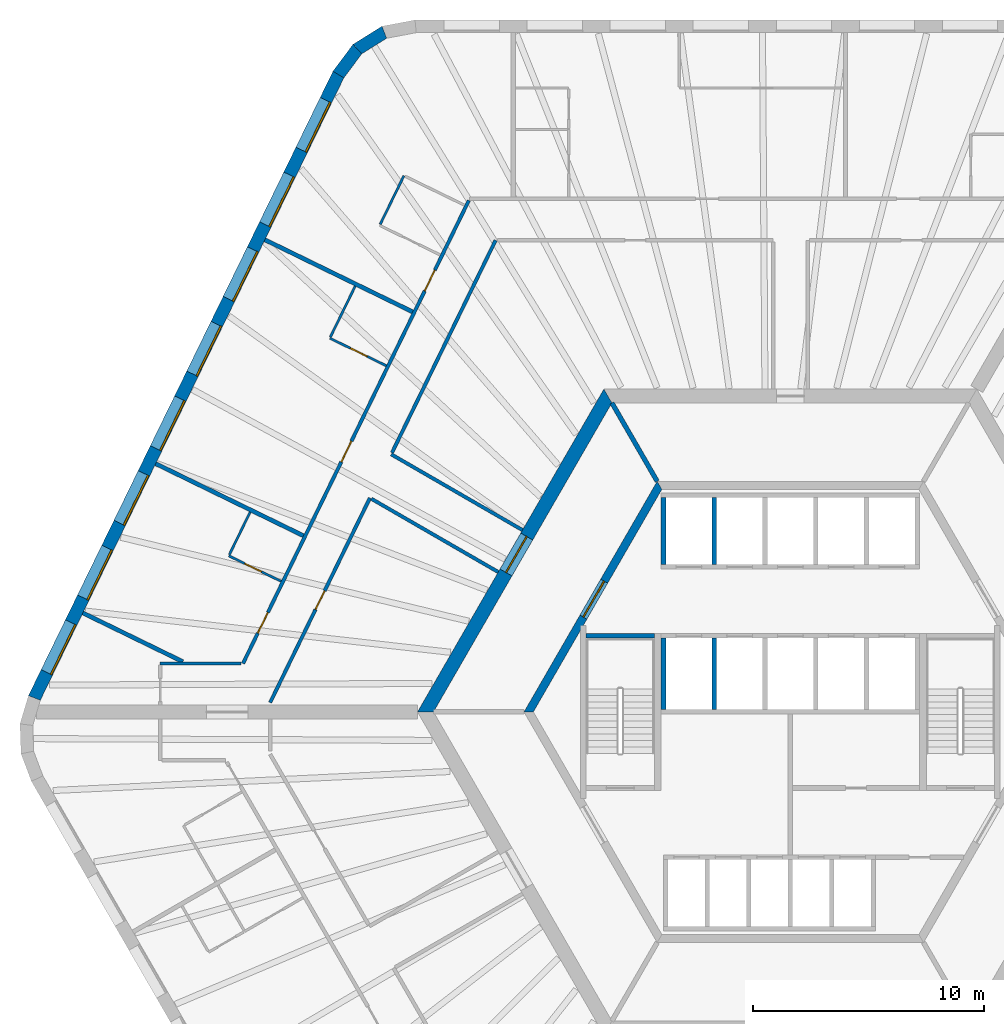
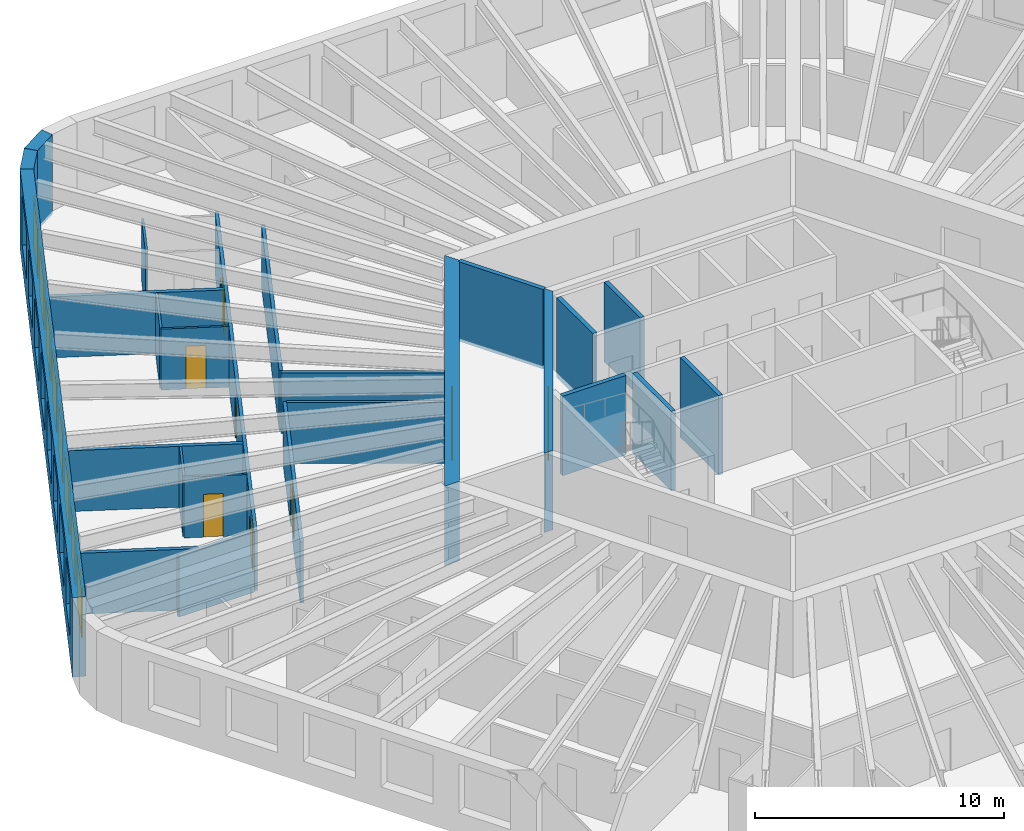
# One storey, part 7 of 11: 25 walls, 8 doors, 8 windows, 16 openings.
"""IFC4 building model written with IfcOpenShell, lengths in metres."""

from ifc_helpers import new_model, si_unit, direction, frame, frame_2d, origin, place, context, subcontext, project, spatial, polyline, rectangle, outline, extrude, material, layer, layer_set, type_object, element, fill, save


model = new_model("IFC4")

# Units and contexts
model_context = context("Model", 3, precision=1e-05, world=origin(), true_north=direction((0.0, 1.0)))
body_context = subcontext(model_context, "Body", "Model", "MODEL_VIEW")
ifc_project = project(units=[si_unit("LENGTHUNIT", "METRE"), si_unit("AREAUNIT", "SQUARE_METRE"), si_unit("VOLUMEUNIT", "CUBIC_METRE"), si_unit("PLANEANGLEUNIT", "RADIAN"), si_unit("MASSUNIT", "GRAM", prefix="KILO")], contexts=[model_context])

# Site, building, storey
site_placement = place(None, origin())
site = spatial("IfcSite", under=ifc_project, at=site_placement, CompositionType="ELEMENT")
building_placement = place(site_placement, origin())
building = spatial("IfcBuilding", under=site, at=building_placement, Name="Tarnside Tower", CompositionType="ELEMENT")
storey_placement = place(building_placement, frame((0.0, 0.0, 107.699951171875)))
storey = spatial("IfcBuildingStorey", under=building, at=storey_placement, Name="L24", CompositionType="ELEMENT", Elevation=107.699951171875)

# Wall
ifc_material_1 = material(Name="Gypsum board partition on steel studs", Category="steel")
ifc_layer_1 = layer(ifc_material_1, 0.10009765625)
ifc_layer_set_1 = layer_set([ifc_layer_1], Name="Bathroom wall 100")
wall_type_1 = type_object("IfcWallType", Name="Bathroom wall 100", PredefinedType="PARTITIONING", material=ifc_layer_set_1)
wall_1_placement = place(storey_placement, frame((-17.783203125, 21.138427734375, 0.0), z_axis=(0.0, 0.0, 1.0), x_axis=(0.438339704034, 0.898809381275, 0.0)))
element("IfcWall", 1, at=wall_1_placement, inside=storey, type_object=wall_type_1, Name="Bathroom wall 07091", PredefinedType="PARTITIONING", context=body_context, shape_type="SweptSolid", body=[
    extrude(rectangle(XDim=2.349853515625, YDim=0.10009765625, at=frame_2d((1.1748046875, 0.0))), origin(), (0.0, 0.0, 1.0), 2.98779296875),
])

# Wall, opening, door
wall_2_placement = place(storey_placement, frame((-17.51806640625, 15.009521484375, 0.0), z_axis=(0.0, 0.0, 1.0), x_axis=(-0.898791692788, 0.43837597217, 0.0)))
wall_2 = element("IfcWall", 2, at=wall_2_placement, inside=storey, type_object=wall_type_1, Name="Bathroom wall 07095", PredefinedType="PARTITIONING", context=body_context, shape_type="SweptSolid", body=[
    extrude(rectangle(XDim=2.72509765625, YDim=0.10009765625, at=frame_2d((1.362548828125, 0.0))), origin(), (0.0, 0.0, 1.0), 2.98779296875),
])
opening_1_placement = place(wall_2_placement, frame((0.925048828125, 0.0, 0.0)))
opening_1 = element("IfcOpeningElement", 3, at=opening_1_placement, cuts=wall_2, Name="Opening D-B1", PredefinedType="OPENING", context=body_context, shape_type="SweptSolid", body=[
    extrude(rectangle(XDim=0.800048828125, YDim=2.10009765625, at=frame_2d((0.39990234375, 1.050048828125))), frame((0.0, 0.06005859375, 0.0), z_axis=(0.0, -1.0, 0.0), x_axis=(1.0, 0.0, 0.0)), (0.0, 0.0, 1.0), 0.1201171875),
])
ifc_material_2 = material(Name="Timber door leaf", Category="wood")
door_type_1 = type_object("IfcDoorType", Name="Bathroom door 800", OperationType="NOTDEFINED", PredefinedType="DOOR", material=ifc_material_2)
door_1_placement = place(opening_1_placement, origin())
door_1 = element("IfcDoor", 4, at=door_1_placement, inside=storey, type_object=door_type_1, Name="Bathroom door 07010", OperationType="SINGLE_SWING_RIGHT", OverallHeight=2.10009765625, OverallWidth=0.800048828125, PredefinedType="DOOR", context=body_context, shape_type="SweptSolid", body=[
    extrude(rectangle(XDim=0.800048828125, YDim=2.10009765625, at=frame_2d((0.39990234375, 1.050048828125))), frame((0.0, 0.02490234375, 0.0), z_axis=(0.0, -1.0, 0.0), x_axis=(1.0, 0.0, 0.0)), (0.0, 0.0, 1.0), 0.050048828125),
])
fill(opening_1, door_1)

# Wall
wall_3_placement = place(storey_placement, frame((-19.945556640625, 16.2490234375, 0.0), z_axis=(0.0, 0.0, 1.0), x_axis=(0.438419721753, 0.898770353082, 0.0)))
element("IfcWall", 5, at=wall_3_placement, inside=storey, type_object=wall_type_1, Name="Bathroom wall 07096", PredefinedType="PARTITIONING", context=body_context, shape_type="SweptSolid", body=[
    extrude(rectangle(XDim=2.460205078125, YDim=0.10009765625, at=frame_2d((1.22998046875, 0.0))), origin(), (0.0, 0.0, 1.0), 2.98779296875),
])

# Wall, opening, door
wall_4_placement = place(storey_placement, frame((-22.0771484375, 5.662109375, 0.0), z_axis=(0.0, 0.0, 1.0), x_axis=(-0.898792604152, 0.438374103617, 0.0)))
wall_4 = element("IfcWall", 6, at=wall_4_placement, inside=storey, type_object=wall_type_1, Name="Bathroom wall 07099", PredefinedType="PARTITIONING", context=body_context, shape_type="SweptSolid", body=[
    extrude(rectangle(XDim=2.525146484375, YDim=0.10009765625, at=frame_2d((1.2626953125, 0.0))), origin(), (0.0, 0.0, 1.0), 2.98779296875),
])
opening_2_placement = place(wall_4_placement, frame((0.955078125, 0.0, 0.0)))
opening_2 = element("IfcOpeningElement", 7, at=opening_2_placement, cuts=wall_4, Name="Opening D-B1", PredefinedType="OPENING", context=body_context, shape_type="SweptSolid", body=[
    extrude(rectangle(XDim=0.800048828125, YDim=2.10009765625, at=frame_2d((0.39990234375, 1.050048828125))), frame((0.0, 0.06005859375, 0.0), z_axis=(0.0, -1.0, 0.0), x_axis=(1.0, 0.0, 0.0)), (0.0, 0.0, 1.0), 0.1201171875),
])
door_2_placement = place(opening_2_placement, origin())
door_2 = element("IfcDoor", 8, at=door_2_placement, inside=storey, type_object=door_type_1, Name="Bathroom door 07012", OperationType="SINGLE_SWING_LEFT", OverallHeight=2.10009765625, OverallWidth=0.800048828125, PredefinedType="DOOR", context=body_context, shape_type="SweptSolid", body=[
    extrude(rectangle(XDim=0.800048828125, YDim=2.10009765625, at=frame_2d((0.39990234375, 1.050048828125))), frame((0.0, 0.02490234375, 0.0), z_axis=(0.0, -1.0, 0.0), x_axis=(1.0, 0.0, 0.0)), (0.0, 0.0, 1.0), 0.050048828125),
])
fill(opening_2, door_2)

# Wall
wall_5_placement = place(storey_placement, frame((-24.32470703125, 6.81396484375, 0.0), z_axis=(0.0, 0.0, 1.0), x_axis=(0.438374597956, 0.898792363044, 0.0)))
element("IfcWall", 9, at=wall_5_placement, inside=storey, type_object=wall_type_1, Name="Bathroom wall 07100", PredefinedType="PARTITIONING", context=body_context, shape_type="SweptSolid", body=[
    extrude(rectangle(XDim=2.06005859375, YDim=0.10009765625, at=frame_2d((1.030029296875, 0.0))), origin(), (0.0, 0.0, 1.0), 2.98779296875),
])

# Wall, opening, door
ifc_material_3 = material(Name="Concrete C50/60", Category="concrete")
ifc_layer_2 = layer(ifc_material_3, 0.35009765625)
ifc_layer_set_2 = layer_set([ifc_layer_2], Name="Core block wall 350 C50/60")
wall_type_2 = type_object("IfcWallType", Name="Core block wall 350 C50/60", PredefinedType="SHEAR", material=ifc_layer_set_2)
wall_6_placement = place(storey_placement, frame((-5.672607421875, 9.824951171875, -0.14990234375), z_axis=(0.0, 0.0, 1.0), x_axis=(-0.499995046907, -0.866028263435, 0.0)))
wall_6 = element("IfcWall", 10, at=wall_6_placement, inside=storey, type_object=wall_type_2, Name="L24 core block wall face 2", PredefinedType="SHEAR", context=body_context, shape_type="SweptSolid", body=[
    extrude(outline(polyline([(-0.10107421875, -0.175048828125), (11.44580078125, -0.175048828125), (11.24365234375, 0.175048828125), (0.10107421875, 0.175048828125), (-0.10107421875, -0.175048828125)])), origin(), (0.0, 0.0, 1.0), 3.89990234375),
])
opening_3_placement = place(wall_6_placement, frame((4.80126953125, 0.0, 0.14990234375)))
opening_3 = element("IfcOpeningElement", 11, at=opening_3_placement, cuts=wall_6, Name="Opening CD-LOB", PredefinedType="OPENING", context=body_context, shape_type="SweptSolid", body=[
    extrude(rectangle(XDim=1.800048828125, YDim=2.39990234375, at=frame_2d((0.89990234375, 1.199951171875))), frame((0.0, 0.18505859375, 0.0), z_axis=(0.0, -1.0, 0.0), x_axis=(1.0, 0.0, 0.0)), (0.0, 0.0, 1.0), 0.3701171875),
])
ifc_material_4 = material(Name="Steel fire door", Category="steel")
door_type_2 = type_object("IfcDoorType", Name="Lobby double door FD30S 1800x2400", OperationType="NOTDEFINED", PredefinedType="DOOR", material=ifc_material_4)
door_3_placement = place(opening_3_placement, origin())
door_3 = element("IfcDoor", 12, at=door_3_placement, inside=storey, type_object=door_type_2, Name="L24 lobby block door P1", OperationType="DOUBLE_DOOR_SINGLE_SWING", OverallHeight=2.39990234375, OverallWidth=1.800048828125, PredefinedType="DOOR", context=body_context, shape_type="SweptSolid", body=[
    extrude(rectangle(XDim=1.800048828125, YDim=2.39990234375, at=frame_2d((0.89990234375, 1.199951171875))), frame((0.0, 0.02490234375, 0.0), z_axis=(0.0, -1.0, 0.0), x_axis=(1.0, 0.0, 0.0)), (0.0, 0.0, 1.0), 0.050048828125),
])
fill(opening_3, door_3)

ifc_material_5 = material(Name="Concrete C80/95", Category="concrete")
ifc_layer_3 = layer(ifc_material_5, 0.60009765625)
ifc_layer_set_3 = layer_set([ifc_layer_3], Name="Core wall Z1 600 C80/95")
wall_type_3 = type_object("IfcWallType", Name="Core wall Z1 600 C80/95", PredefinedType="SHEAR", material=ifc_layer_set_3)
wall_7_placement = place(storey_placement, frame((-7.90966796875, 13.699951171875, -0.14990234375), z_axis=(0.0, 0.0, 1.0), x_axis=(-0.499999880136, -0.866025472988, 0.0)))
wall_7 = element("IfcWall", 13, at=wall_7_placement, inside=storey, type_object=wall_type_3, Name="L24 core wall face 2", PredefinedType="SHEAR", context=body_context, shape_type="SweptSolid", body=[
    extrude(outline(polyline([(-0.17333984375, -0.300048828125), (15.99267578125, -0.300048828125), (15.64599609375, 0.300048828125), (0.17333984375, 0.300048828125), (-0.17333984375, -0.300048828125)])), origin(), (0.0, 0.0, 1.0), 3.89990234375),
])
opening_4_placement = place(wall_7_placement, frame((7.03857421875, 0.0, 0.14990234375)))
opening_4 = element("IfcOpeningElement", 14, at=opening_4_placement, cuts=wall_7, Name="Opening CD-LOB", PredefinedType="OPENING", context=body_context, shape_type="SweptSolid", body=[
    extrude(rectangle(XDim=1.800048828125, YDim=2.39990234375, at=frame_2d((0.89990234375, 1.199951171875))), frame((0.0, 0.31005859375, 0.0), z_axis=(0.0, -1.0, 0.0), x_axis=(1.0, 0.0, 0.0)), (0.0, 0.0, 1.0), 0.6201171875),
])
door_4_placement = place(opening_4_placement, origin())
door_4 = element("IfcDoor", 15, at=door_4_placement, inside=storey, type_object=door_type_2, Name="L24 core door P1", OperationType="DOUBLE_DOOR_SINGLE_SWING", OverallHeight=2.39990234375, OverallWidth=1.800048828125, PredefinedType="DOOR", context=body_context, shape_type="SweptSolid", body=[
    extrude(rectangle(XDim=1.800048828125, YDim=2.39990234375, at=frame_2d((0.89990234375, 1.199951171875))), frame((0.0, 0.02490234375, 0.0), z_axis=(0.0, -1.0, 0.0), x_axis=(1.0, 0.0, 0.0)), (0.0, 0.0, 1.0), 0.050048828125),
])
fill(opening_4, door_4)

# Wall, openings, doors
ifc_layer_4 = layer(ifc_material_1, 0.14990234375)
ifc_layer_set_4 = layer_set([ifc_layer_4], Name="Corridor wall 150 EI 60")
wall_type_4 = type_object("IfcWallType", Name="Corridor wall 150 EI 60", PredefinedType="PARTITIONING", material=ifc_layer_set_4)
wall_8_placement = place(storey_placement, frame((-13.93994140625, 22.175048828125, 0.0), z_axis=(0.0, 0.0, 1.0), x_axis=(-0.438373022655, -0.898793131376, 0.0)))
wall_8 = element("IfcWall", 16, at=wall_8_placement, inside=storey, type_object=wall_type_4, Name="Corridor wall 07007", PredefinedType="PARTITIONING", context=body_context, shape_type="SweptSolid", body=[
    extrude(rectangle(XDim=22.33544921875, YDim=0.14990234375, at=frame_2d((11.167724609375, 0.0))), origin(), (0.0, 0.0, 1.0), 2.98779296875),
])
opening_5_placement = place(wall_8_placement, frame((3.36279296875, 0.0, 0.0)))
opening_5 = element("IfcOpeningElement", 17, at=opening_5_placement, cuts=wall_8, Name="Opening D-E1", PredefinedType="OPENING", context=body_context, shape_type="SweptSolid", body=[
    extrude(rectangle(XDim=1.0, YDim=2.10009765625, at=frame_2d((0.5, 1.050048828125))), frame((0.0, 0.0849609375, 0.0), z_axis=(0.0, -1.0, 0.0), x_axis=(1.0, 0.0, 0.0)), (0.0, 0.0, 1.0), 0.169921875),
])
opening_6_placement = place(wall_8_placement, frame((11.60888671875, 0.0, 0.0)))
opening_6 = element("IfcOpeningElement", 18, at=opening_6_placement, cuts=wall_8, Name="Opening D-E1", PredefinedType="OPENING", context=body_context, shape_type="SweptSolid", body=[
    extrude(rectangle(XDim=1.0, YDim=2.10009765625, at=frame_2d((0.5, 1.050048828125))), frame((0.0, 0.0849609375, 0.0), z_axis=(0.0, -1.0, 0.0), x_axis=(1.0, 0.0, 0.0)), (0.0, 0.0, 1.0), 0.169921875),
])
opening_7_placement = place(wall_8_placement, frame((19.8720703125, 0.0, 0.0)))
opening_7 = element("IfcOpeningElement", 19, at=opening_7_placement, cuts=wall_8, Name="Opening D-E1", PredefinedType="OPENING", context=body_context, shape_type="SweptSolid", body=[
    extrude(rectangle(XDim=1.0, YDim=2.10009765625, at=frame_2d((0.5, 1.050048828125))), frame((0.0, 0.0849609375, 0.0), z_axis=(0.0, -1.0, 0.0), x_axis=(1.0, 0.0, 0.0)), (0.0, 0.0, 1.0), 0.169921875),
])
door_type_3 = type_object("IfcDoorType", Name="Unit entrance door 1000 FD30S", OperationType="NOTDEFINED", PredefinedType="DOOR", material=ifc_material_2)
door_5_placement = place(opening_5_placement, origin())
door_5 = element("IfcDoor", 20, at=door_5_placement, inside=storey, type_object=door_type_3, Name="Unit door 07007", OperationType="SINGLE_SWING_LEFT", OverallHeight=2.10009765625, OverallWidth=1.0, PredefinedType="DOOR", context=body_context, shape_type="SweptSolid", body=[
    extrude(rectangle(XDim=1.0, YDim=2.10009765625, at=frame_2d((0.5, 1.050048828125))), frame((0.0, 0.02490234375, 0.0), z_axis=(0.0, -1.0, 0.0), x_axis=(1.0, 0.0, 0.0)), (0.0, 0.0, 1.0), 0.050048828125),
])
fill(opening_5, door_5)
door_6_placement = place(opening_6_placement, origin())
door_6 = element("IfcDoor", 21, at=door_6_placement, inside=storey, type_object=door_type_3, Name="Unit door 07009", OperationType="SINGLE_SWING_LEFT", OverallHeight=2.10009765625, OverallWidth=1.0, PredefinedType="DOOR", context=body_context, shape_type="SweptSolid", body=[
    extrude(rectangle(XDim=1.0, YDim=2.10009765625, at=frame_2d((0.5, 1.050048828125))), frame((0.0, 0.02490234375, 0.0), z_axis=(0.0, -1.0, 0.0), x_axis=(1.0, 0.0, 0.0)), (0.0, 0.0, 1.0), 0.050048828125),
])
fill(opening_6, door_6)
door_7_placement = place(opening_7_placement, origin())
door_7 = element("IfcDoor", 22, at=door_7_placement, inside=storey, type_object=door_type_3, Name="Unit door 07011", OperationType="SINGLE_SWING_RIGHT", OverallHeight=2.10009765625, OverallWidth=1.0, PredefinedType="DOOR", context=body_context, shape_type="SweptSolid", body=[
    extrude(rectangle(XDim=1.0, YDim=2.10009765625, at=frame_2d((0.5, 1.050048828125))), frame((0.0, 0.02490234375, 0.0), z_axis=(0.0, -1.0, 0.0), x_axis=(1.0, 0.0, 0.0)), (0.0, 0.0, 1.0), 0.050048828125),
])
fill(opening_7, door_7)

# Walls
wall_9_placement = place(storey_placement, frame((-23.814697265625, 2.10009765625, 0.0), z_axis=(0.0, 0.0, 1.0), x_axis=(-1.0, 0.0, 0.0)))
element("IfcWall", 23, at=wall_9_placement, inside=storey, type_object=wall_type_4, Name="Corridor wall 07014", PredefinedType="PARTITIONING", context=body_context, shape_type="SweptSolid", body=[
    extrude(rectangle(XDim=3.505615234375, YDim=0.14990234375, at=frame_2d((1.7529296875, 0.0))), origin(), (0.0, 0.0, 1.0), 2.98779296875),
])
wall_10_placement = place(storey_placement, frame((-11.61376953125, 7.88427734375, 0.0), z_axis=(0.0, 0.0, 1.0), x_axis=(-0.866025963225, 0.49999903102, 0.0)))
element("IfcWall", 24, at=wall_10_placement, inside=storey, type_object=wall_type_4, Name="Corridor wall 07018", PredefinedType="PARTITIONING", context=body_context, shape_type="SweptSolid", body=[
    extrude(rectangle(XDim=6.5712890625, YDim=0.14990234375, at=frame_2d((3.28564453125, 0.0))), origin(), (0.0, 0.0, 1.0), 2.98779296875),
])
wall_11_placement = place(storey_placement, frame((-17.271728515625, 11.237548828125, 0.0), z_axis=(0.0, 0.0, 1.0), x_axis=(0.438369193793, 0.898794998836, 0.0)))
element("IfcWall", 25, at=wall_11_placement, inside=storey, type_object=wall_type_4, Name="Corridor wall 07019", PredefinedType="PARTITIONING", context=body_context, shape_type="SweptSolid", body=[
    extrude(rectangle(XDim=10.249755859375, YDim=0.14990234375, at=frame_2d((5.125, 0.0))), origin(), (0.0, 0.0, 1.0), 2.98779296875),
])

# Wall, opening, door
wall_12_placement = place(storey_placement, frame((-22.552734375, 0.41015625, 0.0), z_axis=(0.0, 0.0, 1.0), x_axis=(0.438382679221, 0.898788421465, 0.0)))
wall_12 = element("IfcWall", 26, at=wall_12_placement, inside=storey, type_object=wall_type_4, Name="Corridor wall 07025", PredefinedType="PARTITIONING", context=body_context, shape_type="SweptSolid", body=[
    extrude(rectangle(XDim=9.8662109375, YDim=0.14990234375, at=frame_2d((4.93310546875, 0.0))), origin(), (0.0, 0.0, 1.0), 2.98779296875),
])
opening_8_placement = place(wall_12_placement, frame((4.483154296875, 0.0, 0.0)))
opening_8 = element("IfcOpeningElement", 27, at=opening_8_placement, cuts=wall_12, Name="Opening D-S1", PredefinedType="OPENING", context=body_context, shape_type="SweptSolid", body=[
    extrude(rectangle(XDim=0.89990234375, YDim=2.10009765625, at=frame_2d((0.449951171875, 1.050048828125))), frame((0.0, 0.0849609375, 0.0), z_axis=(0.0, -1.0, 0.0), x_axis=(1.0, 0.0, 0.0)), (0.0, 0.0, 1.0), 0.169921875),
])
door_type_4 = type_object("IfcDoorType", Name="Service room door 900 FD30S", OperationType="NOTDEFINED", PredefinedType="DOOR", material=ifc_material_2)
door_8_placement = place(opening_8_placement, origin())
door_8 = element("IfcDoor", 28, at=door_8_placement, inside=storey, type_object=door_type_4, Name="Service door 07044", OperationType="SINGLE_SWING_RIGHT", OverallHeight=2.10009765625, OverallWidth=0.89990234375, PredefinedType="DOOR", context=body_context, shape_type="SweptSolid", body=[
    extrude(rectangle(XDim=0.89990234375, YDim=2.10009765625, at=frame_2d((0.449951171875, 1.050048828125))), frame((0.0, 0.02490234375, 0.0), z_axis=(0.0, -1.0, 0.0), x_axis=(1.0, 0.0, 0.0)), (0.0, 0.0, 1.0), 0.050048828125),
])
fill(opening_8, door_8)

# Walls
wall_13_placement = place(storey_placement, frame((-18.162353515625, 9.240234375, 0.0), z_axis=(0.0, 0.0, 1.0), x_axis=(0.866026781814, -0.499997613175, 0.0)))
element("IfcWall", 29, at=wall_13_placement, inside=storey, type_object=wall_type_4, Name="Corridor wall 07026", PredefinedType="PARTITIONING", context=body_context, shape_type="SweptSolid", body=[
    extrude(rectangle(XDim=6.34912109375, YDim=0.14990234375, at=frame_2d((3.174560546875, 0.0))), origin(), (0.0, 0.0, 1.0), 2.98779296875),
])
ifc_layer_5 = layer(ifc_material_1, 0.179931640625)
ifc_layer_set_5 = layer_set([ifc_layer_5], Name="Demising wall 180 EI 60")
wall_type_5 = type_object("IfcWallType", Name="Demising wall 180 EI 60", PredefinedType="PARTITIONING", material=ifc_layer_set_5)
for number, where, z_axis, x_axis, name in (
    (30, (-22.7822265625, 20.469970703125, 0.0), (0.0, 0.0, 1.0), (0.898783593711, -0.438392577123, 0.0), "Demising wall 07093"),
    (31, (-27.5166015625, 10.762939453125, 0.0), (0.0, 0.0, 1.0), (0.898783593711, -0.438392577123, 0.0), "Demising wall 07097"),
):
    element("IfcWall", number, at=place(storey_placement, frame(where, z_axis=z_axis, x_axis=x_axis)), inside=storey, type_object=wall_type_5, Name=name, PredefinedType="PARTITIONING", context=body_context, shape_type="SweptSolid", body=[
        extrude(rectangle(XDim=7.125, YDim=0.179931640625, at=frame_2d((3.5625, 0.0))), origin(), (0.0, 0.0, 1.0), 2.98779296875),
    ])
wall_14_placement = place(storey_placement, frame((-30.673095703125, 4.29150390625, 0.0), z_axis=(0.0, 0.0, 1.0), x_axis=(0.898812662672, -0.438332975512, 0.0)))
element("IfcWall", 32, at=wall_14_placement, inside=storey, type_object=wall_type_5, Name="Demising wall 07101", PredefinedType="PARTITIONING", context=body_context, shape_type="SweptSolid", body=[
    extrude(rectangle(XDim=4.828369140625, YDim=0.179931640625, at=frame_2d((2.4140625, 0.0))), origin(), (0.0, 0.0, 1.0), 2.98779296875),
])
ifc_material_6 = material(Name="Concrete C40/50", Category="concrete")
ifc_layer_6 = layer(ifc_material_6, 0.199951171875)
ifc_layer_set_6 = layer_set([ifc_layer_6], Name="Lift shaft wall 200 C40/50")
wall_type_6 = type_object("IfcWallType", Name="Lift shaft wall 200 C40/50", PredefinedType="SHEAR", material=ifc_layer_set_6)
for number, where, z_axis, x_axis, name in (
    (33, (-5.5, 6.39990234375, -0.25), (0.0, 0.0, 1.0), (0.0, 1.0, 0.0), "L24 lift shaft partition R11"),
    (34, (-3.300048828125, 6.39990234375, -0.25), (0.0, 0.0, 1.0), (0.0, 1.0, 0.0), "L24 lift shaft partition R12"),
):
    element("IfcWall", number, at=place(storey_placement, frame(where, z_axis=z_axis, x_axis=x_axis)), inside=storey, type_object=wall_type_6, Name=name, PredefinedType="SHEAR", context=body_context, shape_type="SweptSolid", body=[
        extrude(rectangle(XDim=2.900146484375, YDim=0.199951171875, at=frame_2d((1.4501953125, 0.0))), origin(), (0.0, 0.0, 1.0), 3.900146484375),
    ])
for number, where, z_axis, x_axis, name in (
    (35, (-5.5, 0.10009765625, -0.25), (0.0, 0.0, 1.0), (0.0, 1.0, 0.0), "L24 lift shaft partition R21"),
    (36, (-3.300048828125, 0.10009765625, -0.25), (0.0, 0.0, 1.0), (0.0, 1.0, 0.0), "L24 lift shaft partition R22"),
):
    element("IfcWall", number, at=place(storey_placement, frame(where, z_axis=z_axis, x_axis=x_axis)), inside=storey, type_object=wall_type_6, Name=name, PredefinedType="SHEAR", context=body_context, shape_type="SweptSolid", body=[
        extrude(rectangle(XDim=3.099853515625, YDim=0.199951171875, at=frame_2d((1.5498046875, 0.0))), origin(), (0.0, 0.0, 1.0), 3.900146484375),
    ])
wall_15_placement = place(storey_placement, frame((-5.7734375, 10.0, -0.14990234375), z_axis=(0.0, 0.0, 1.0), x_axis=(-0.500038251005, 0.86600331843, 0.0)))
element("IfcWall", 37, at=wall_15_placement, inside=storey, type_object=wall_type_6, Name="L24 core partition AR120", PredefinedType="SHEAR", context=body_context, shape_type="SweptSolid", body=[
    extrude(rectangle(XDim=3.926025390625, YDim=0.199951171875, at=frame_2d((1.962890625, 0.0))), origin(), (0.0, 0.0, 1.0), 3.89990234375),
])
wall_16_placement = place(storey_placement, frame((-8.85009765625, 3.300048828125, -0.25), z_axis=(0.0, 0.0, 1.0), x_axis=(1.0, 0.0, 0.0)))
element("IfcWall", 38, at=wall_16_placement, inside=storey, type_object=wall_type_6, Name="L24 stair 2 enclosure cap wall n", PredefinedType="SHEAR", context=body_context, shape_type="SweptSolid", body=[
    extrude(rectangle(XDim=2.9501953125, YDim=0.199951171875, at=frame_2d((1.47509765625, 0.0))), origin(), (0.0, 0.0, 1.0), 3.900146484375),
])
ifc_material_7 = material(Name="Facing brick", Category="masonry")
ifc_layer_7 = layer(ifc_material_7, 0.10205078125)
ifc_material_8 = material(Name="Concrete C60/75 precast", Category="concrete")
ifc_layer_8 = layer(ifc_material_8, 0.347900390625)
ifc_material_9 = material(Name="Mineral wool insulation")
ifc_layer_9 = layer(ifc_material_9, 0.10009765625)
ifc_layer_set_7 = layer_set([ifc_layer_7, ifc_layer_8, ifc_layer_9], Name="Tube wall 550 brick faced")
wall_type_7 = type_object("IfcWallType", Name="Tube wall 550 brick faced", PredefinedType="SOLIDWALL", material=ifc_layer_set_7)
wall_17_placement = place(storey_placement, frame((-17.601806640625, 29.4697265625, -0.14990234375), z_axis=(0.0, 0.0, 1.0), x_axis=(-0.848057977594, -0.5299034503, 0.0)))
element("IfcWall", 39, at=wall_17_placement, inside=storey, type_object=wall_type_7, Name="Tube wall L24 F1 chord 02", PredefinedType="SOLIDWALL", context=body_context, shape_type="SweptSolid", body=[
    extrude(outline(polyline([(-0.0517578125, -0.27490234375), (1.4306640625, -0.27490234375), (1.3271484375, 0.27490234375), (0.0517578125, 0.27490234375), (-0.0517578125, -0.27490234375)])), origin(), (0.0, 0.0, 1.0), 3.89990234375),
])
wall_18_placement = place(storey_placement, frame((-18.771240234375, 28.739013671875, -0.14990234375), z_axis=(0.0, 0.0, 1.0), x_axis=(-0.597135295884, -0.802140535324, 0.0)))
element("IfcWall", 40, at=wall_18_placement, inside=storey, type_object=wall_type_7, Name="Tube wall L24 F1 chord 03", PredefinedType="SOLIDWALL", context=body_context, shape_type="SweptSolid", body=[
    extrude(outline(polyline([(-0.0517578125, -0.27490234375), (1.40478515625, -0.27490234375), (1.353515625, 0.27490234375), (0.0517578125, 0.27490234375), (-0.0517578125, -0.27490234375)])), origin(), (0.0, 0.0, 1.0), 3.89990234375),
])

# Wall, openings, windows
wall_19_placement = place(storey_placement, frame((-19.5947265625, 27.6328125, -0.14990234375), z_axis=(0.0, 0.0, 1.0), x_axis=(-0.438368285794, -0.898795441694, 0.0)))
wall_19 = element("IfcWall", 41, at=wall_19_placement, inside=storey, type_object=wall_type_7, Name="Tube wall L24 F2 flush 04", PredefinedType="SOLIDWALL", context=body_context, shape_type="SweptSolid", body=[
    extrude(outline(polyline([(-0.025634765625, -0.27490234375), (30.09326171875, -0.27490234375), (30.04833984375, 0.27490234375), (0.025634765625, 0.27490234375), (-0.025634765625, -0.27490234375)])), origin(), (0.0, 0.0, 1.0), 3.89990234375),
])
opening_9_placement = place(wall_19_placement, frame((1.235595703125, 0.0, 1.050048828125)))
opening_9 = element("IfcOpeningElement", 42, at=opening_9_placement, cuts=wall_19, Name="Opening WH", PredefinedType="OPENING", context=body_context, shape_type="SweptSolid", body=[
    extrude(rectangle(XDim=2.39990234375, YDim=2.39990234375, at=frame_2d((1.199951171875, 1.199951171875))), frame((0.0, 0.28515625, 0.0), z_axis=(0.0, -1.0, 0.0), x_axis=(1.0, 0.0, 0.0)), (0.0, 0.0, 1.0), 0.570068359375),
])
opening_10_placement = place(wall_19_placement, frame((4.83544921875, 0.0, 1.050048828125)))
opening_10 = element("IfcOpeningElement", 43, at=opening_10_placement, cuts=wall_19, Name="Opening WH", PredefinedType="OPENING", context=body_context, shape_type="SweptSolid", body=[
    extrude(rectangle(XDim=2.39990234375, YDim=2.39990234375, at=frame_2d((1.199951171875, 1.199951171875))), frame((0.0, 0.28515625, 0.0), z_axis=(0.0, -1.0, 0.0), x_axis=(1.0, 0.0, 0.0)), (0.0, 0.0, 1.0), 0.570068359375),
])
opening_11_placement = place(wall_19_placement, frame((8.435546875, 0.0, 1.050048828125)))
opening_11 = element("IfcOpeningElement", 44, at=opening_11_placement, cuts=wall_19, Name="Opening WH", PredefinedType="OPENING", context=body_context, shape_type="SweptSolid", body=[
    extrude(rectangle(XDim=2.39990234375, YDim=2.39990234375, at=frame_2d((1.199951171875, 1.199951171875))), frame((0.0, 0.28515625, 0.0), z_axis=(0.0, -1.0, 0.0), x_axis=(1.0, 0.0, 0.0)), (0.0, 0.0, 1.0), 0.570068359375),
])
opening_12_placement = place(wall_19_placement, frame((12.035400390625, 0.0, 1.050048828125)))
opening_12 = element("IfcOpeningElement", 45, at=opening_12_placement, cuts=wall_19, Name="Opening WH", PredefinedType="OPENING", context=body_context, shape_type="SweptSolid", body=[
    extrude(rectangle(XDim=2.39990234375, YDim=2.39990234375, at=frame_2d((1.199951171875, 1.199951171875))), frame((0.0, 0.28515625, 0.0), z_axis=(0.0, -1.0, 0.0), x_axis=(1.0, 0.0, 0.0)), (0.0, 0.0, 1.0), 0.570068359375),
])
opening_13_placement = place(wall_19_placement, frame((15.635498046875, 0.0, 1.050048828125)))
opening_13 = element("IfcOpeningElement", 46, at=opening_13_placement, cuts=wall_19, Name="Opening WH", PredefinedType="OPENING", context=body_context, shape_type="SweptSolid", body=[
    extrude(rectangle(XDim=2.39990234375, YDim=2.39990234375, at=frame_2d((1.199951171875, 1.199951171875))), frame((0.0, 0.28515625, 0.0), z_axis=(0.0, -1.0, 0.0), x_axis=(1.0, 0.0, 0.0)), (0.0, 0.0, 1.0), 0.570068359375),
])
opening_14_placement = place(wall_19_placement, frame((19.235595703125, 0.0, 1.050048828125)))
opening_14 = element("IfcOpeningElement", 47, at=opening_14_placement, cuts=wall_19, Name="Opening WH", PredefinedType="OPENING", context=body_context, shape_type="SweptSolid", body=[
    extrude(rectangle(XDim=2.39990234375, YDim=2.39990234375, at=frame_2d((1.199951171875, 1.199951171875))), frame((0.0, 0.28515625, 0.0), z_axis=(0.0, -1.0, 0.0), x_axis=(1.0, 0.0, 0.0)), (0.0, 0.0, 1.0), 0.570068359375),
])
opening_15_placement = place(wall_19_placement, frame((22.83544921875, 0.0, 1.050048828125)))
opening_15 = element("IfcOpeningElement", 48, at=opening_15_placement, cuts=wall_19, Name="Opening WH", PredefinedType="OPENING", context=body_context, shape_type="SweptSolid", body=[
    extrude(rectangle(XDim=2.39990234375, YDim=2.39990234375, at=frame_2d((1.199951171875, 1.199951171875))), frame((0.0, 0.28515625, 0.0), z_axis=(0.0, -1.0, 0.0), x_axis=(1.0, 0.0, 0.0)), (0.0, 0.0, 1.0), 0.570068359375),
])
opening_16_placement = place(wall_19_placement, frame((26.435546875, 0.0, 1.050048828125)))
opening_16 = element("IfcOpeningElement", 49, at=opening_16_placement, cuts=wall_19, Name="Opening WH", PredefinedType="OPENING", context=body_context, shape_type="SweptSolid", body=[
    extrude(rectangle(XDim=2.39990234375, YDim=2.39990234375, at=frame_2d((1.199951171875, 1.199951171875))), frame((0.0, 0.28515625, 0.0), z_axis=(0.0, -1.0, 0.0), x_axis=(1.0, 0.0, 0.0)), (0.0, 0.0, 1.0), 0.570068359375),
])
ifc_material_10 = material(Name="Aluminium-framed double glazing", Category="aluminium")
window_type = type_object("IfcWindowType", Name="Hotel window 2400 x 2400", PartitioningType="DOUBLE_PANEL_VERTICAL", PredefinedType="WINDOW", material=ifc_material_10)
window_1_placement = place(opening_9_placement, frame((0.0, 0.205078125, 0.0)))
window_1 = element("IfcWindow", 50, at=window_1_placement, inside=storey, type_object=window_type, Name="E.WN.L24.F2.00", OverallHeight=2.39990234375, OverallWidth=2.39990234375, PartitioningType="DOUBLE_PANEL_VERTICAL", PredefinedType="WINDOW", context=body_context, shape_type="SweptSolid", body=[
    extrude(rectangle(XDim=2.39990234375, YDim=2.39990234375, at=frame_2d((1.199951171875, 1.199951171875))), frame((0.0, 0.030029296875, 0.0), z_axis=(0.0, -1.0, 0.0), x_axis=(1.0, 0.0, 0.0)), (0.0, 0.0, 1.0), 0.06005859375),
])
fill(opening_9, window_1)
window_2_placement = place(opening_10_placement, frame((0.0, 0.205078125, 0.0)))
window_2 = element("IfcWindow", 51, at=window_2_placement, inside=storey, type_object=window_type, Name="E.WN.L24.F2.01", OverallHeight=2.39990234375, OverallWidth=2.39990234375, PartitioningType="DOUBLE_PANEL_VERTICAL", PredefinedType="WINDOW", context=body_context, shape_type="SweptSolid", body=[
    extrude(rectangle(XDim=2.39990234375, YDim=2.39990234375, at=frame_2d((1.199951171875, 1.199951171875))), frame((0.0, 0.030029296875, 0.0), z_axis=(0.0, -1.0, 0.0), x_axis=(1.0, 0.0, 0.0)), (0.0, 0.0, 1.0), 0.06005859375),
])
fill(opening_10, window_2)
window_3_placement = place(opening_11_placement, frame((0.0, 0.205078125, 0.0)))
window_3 = element("IfcWindow", 52, at=window_3_placement, inside=storey, type_object=window_type, Name="E.WN.L24.F2.02", OverallHeight=2.39990234375, OverallWidth=2.39990234375, PartitioningType="DOUBLE_PANEL_VERTICAL", PredefinedType="WINDOW", context=body_context, shape_type="SweptSolid", body=[
    extrude(rectangle(XDim=2.39990234375, YDim=2.39990234375, at=frame_2d((1.199951171875, 1.199951171875))), frame((0.0, 0.030029296875, 0.0), z_axis=(0.0, -1.0, 0.0), x_axis=(1.0, 0.0, 0.0)), (0.0, 0.0, 1.0), 0.06005859375),
])
fill(opening_11, window_3)
window_4_placement = place(opening_12_placement, frame((0.0, 0.205078125, 0.0)))
window_4 = element("IfcWindow", 53, at=window_4_placement, inside=storey, type_object=window_type, Name="E.WN.L24.F2.03", OverallHeight=2.39990234375, OverallWidth=2.39990234375, PartitioningType="DOUBLE_PANEL_VERTICAL", PredefinedType="WINDOW", context=body_context, shape_type="SweptSolid", body=[
    extrude(rectangle(XDim=2.39990234375, YDim=2.39990234375, at=frame_2d((1.199951171875, 1.199951171875))), frame((0.0, 0.030029296875, 0.0), z_axis=(0.0, -1.0, 0.0), x_axis=(1.0, 0.0, 0.0)), (0.0, 0.0, 1.0), 0.06005859375),
])
fill(opening_12, window_4)
window_5_placement = place(opening_13_placement, frame((0.0, 0.205078125, 0.0)))
window_5 = element("IfcWindow", 54, at=window_5_placement, inside=storey, type_object=window_type, Name="E.WN.L24.F2.04", OverallHeight=2.39990234375, OverallWidth=2.39990234375, PartitioningType="DOUBLE_PANEL_VERTICAL", PredefinedType="WINDOW", context=body_context, shape_type="SweptSolid", body=[
    extrude(rectangle(XDim=2.39990234375, YDim=2.39990234375, at=frame_2d((1.199951171875, 1.199951171875))), frame((0.0, 0.030029296875, 0.0), z_axis=(0.0, -1.0, 0.0), x_axis=(1.0, 0.0, 0.0)), (0.0, 0.0, 1.0), 0.06005859375),
])
fill(opening_13, window_5)
window_6_placement = place(opening_14_placement, frame((0.0, 0.205078125, 0.0)))
window_6 = element("IfcWindow", 55, at=window_6_placement, inside=storey, type_object=window_type, Name="E.WN.L24.F2.05", OverallHeight=2.39990234375, OverallWidth=2.39990234375, PartitioningType="DOUBLE_PANEL_VERTICAL", PredefinedType="WINDOW", context=body_context, shape_type="SweptSolid", body=[
    extrude(rectangle(XDim=2.39990234375, YDim=2.39990234375, at=frame_2d((1.199951171875, 1.199951171875))), frame((0.0, 0.030029296875, 0.0), z_axis=(0.0, -1.0, 0.0), x_axis=(1.0, 0.0, 0.0)), (0.0, 0.0, 1.0), 0.06005859375),
])
fill(opening_14, window_6)
window_7_placement = place(opening_15_placement, frame((0.0, 0.205078125, 0.0)))
window_7 = element("IfcWindow", 56, at=window_7_placement, inside=storey, type_object=window_type, Name="E.WN.L24.F2.06", OverallHeight=2.39990234375, OverallWidth=2.39990234375, PartitioningType="DOUBLE_PANEL_VERTICAL", PredefinedType="WINDOW", context=body_context, shape_type="SweptSolid", body=[
    extrude(rectangle(XDim=2.39990234375, YDim=2.39990234375, at=frame_2d((1.199951171875, 1.199951171875))), frame((0.0, 0.030029296875, 0.0), z_axis=(0.0, -1.0, 0.0), x_axis=(1.0, 0.0, 0.0)), (0.0, 0.0, 1.0), 0.06005859375),
])
fill(opening_15, window_7)
window_8_placement = place(opening_16_placement, frame((0.0, 0.205078125, 0.0)))
window_8 = element("IfcWindow", 57, at=window_8_placement, inside=storey, type_object=window_type, Name="E.WN.L24.F2.07", OverallHeight=2.39990234375, OverallWidth=2.39990234375, PartitioningType="DOUBLE_PANEL_VERTICAL", PredefinedType="WINDOW", context=body_context, shape_type="SweptSolid", body=[
    extrude(rectangle(XDim=2.39990234375, YDim=2.39990234375, at=frame_2d((1.199951171875, 1.199951171875))), frame((0.0, 0.030029296875, 0.0), z_axis=(0.0, -1.0, 0.0), x_axis=(1.0, 0.0, 0.0)), (0.0, 0.0, 1.0), 0.06005859375),
])
fill(opening_16, window_8)

save(model, "model.ifc")
